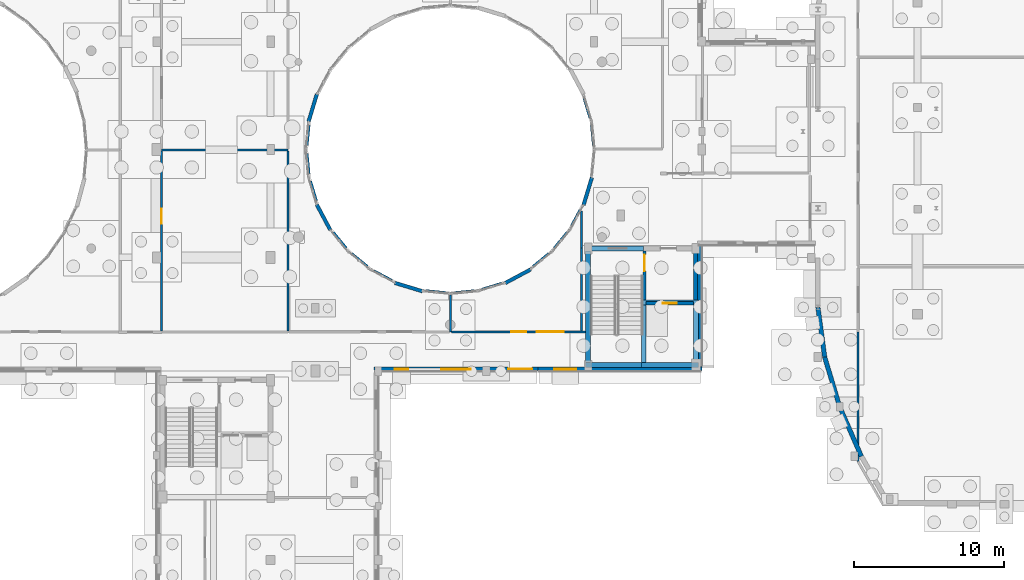
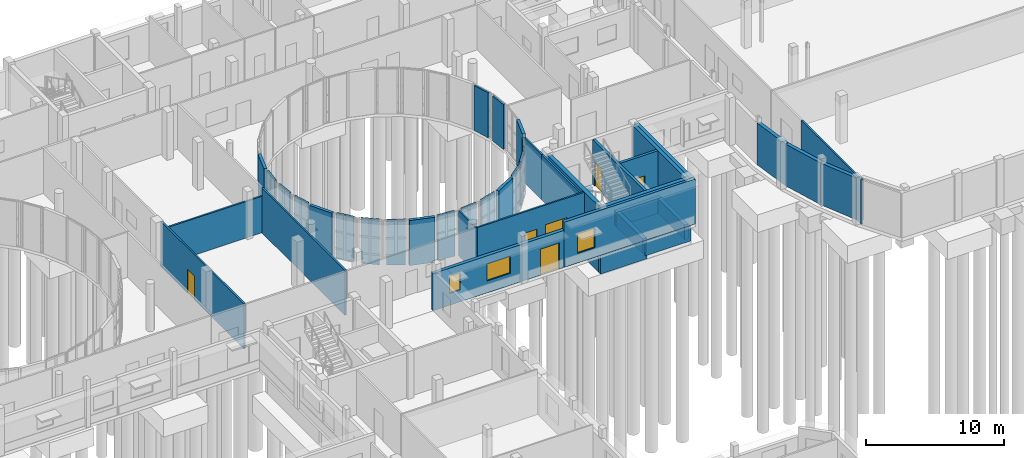
# One storey, part 68 of 93: 45 walls, 5 doors, 4 windows, 9 openings.
"""IFC4 building model written with IfcOpenShell, lengths in metres."""

from ifc_helpers import new_model, si_unit, direction, frame, frame_2d, origin, place, context, subcontext, project, spatial, rectangle, extrude, material, layer, layer_set, type_object, element, fill, save


model = new_model("IFC4")

# Units and contexts
model_context = context("Model", 3, precision=1e-05, world=origin(), true_north=direction((0.0, 1.0)))
body_context = subcontext(model_context, "Body", "Model", "MODEL_VIEW")
ifc_project = project(units=[si_unit("LENGTHUNIT", "METRE"), si_unit("AREAUNIT", "SQUARE_METRE"), si_unit("VOLUMEUNIT", "CUBIC_METRE"), si_unit("PLANEANGLEUNIT", "RADIAN"), si_unit("MASSUNIT", "GRAM", prefix="KILO")], contexts=[model_context])

# Site, building, storey
site_placement = place(None, origin())
site = spatial("IfcSite", under=ifc_project, at=site_placement, CompositionType="ELEMENT")
building_placement = place(site_placement, origin())
building = spatial("IfcBuilding", under=site, at=building_placement, Name="Kelanivale Promenade Academy", CompositionType="ELEMENT")
storey_placement = place(building_placement, origin())
storey = spatial("IfcBuildingStorey", under=building, at=storey_placement, Name="L00", CompositionType="ELEMENT", Elevation=0.0)

# Walls
ifc_material_1 = material(Name="Concrete C40/50", Category="concrete")
ifc_layer_1 = layer(ifc_material_1, 0.330078125)
ifc_layer_set_1 = layer_set([ifc_layer_1], Name="Concrete C40/50")
wall_type_1 = type_object("IfcWallType", Name="CW-S1 Wall 330mm", PredefinedType="SHEAR", material=ifc_layer_set_1)
for number, where, z_axis, x_axis, name in (
    (1, (111.554931640625, 42.39990234375, -1.550048828125), (0.0, 0.0, 1.0), (1.0, 0.0, 0.0), "CORE-3 lift pit wall"),
    (2, (111.554931640625, 46.590087890625, -1.550048828125), (0.0, 0.0, 1.0), (1.0, 0.0, 0.0), "CORE-3 lift pit wall"),
):
    element("IfcWall", number, at=place(storey_placement, frame(where, z_axis=z_axis, x_axis=x_axis)), inside=storey, type_object=wall_type_1, Name=name, PredefinedType="SHEAR", context=body_context, shape_type="SweptSolid", body=[
        extrude(rectangle(XDim=3.81005859375, YDim=0.330078125, at=frame_2d((1.905029296875, 0.0))), origin(), (0.0, 0.0, 1.0), 1.300048828125),
    ])
for number, where, z_axis, x_axis, name in (
    (3, (111.719970703125, 42.56494140625, -1.550048828125), (0.0, 0.0, 1.0), (0.0, 1.0, 0.0), "CORE-3 lift pit wall"),
    (4, (115.199951171875, 42.56494140625, -1.550048828125), (0.0, 0.0, 1.0), (0.0, 1.0, 0.0), "CORE-3 lift pit wall"),
):
    element("IfcWall", number, at=place(storey_placement, frame(where, z_axis=z_axis, x_axis=x_axis)), inside=storey, type_object=wall_type_1, Name=name, PredefinedType="SHEAR", context=body_context, shape_type="SweptSolid", body=[
        extrude(rectangle(XDim=3.860107421875, YDim=0.330078125, at=frame_2d((1.93017578125, 0.0))), origin(), (0.0, 0.0, 1.0), 1.300048828125),
    ])
wall_1_placement = place(storey_placement, frame((108.0, 42.56494140625, -1.85009765625), z_axis=(0.0, 0.0, 1.0), x_axis=(0.0, 1.0, 0.0)))
element("IfcWall", 5, at=wall_1_placement, inside=storey, type_object=wall_type_1, Name="CORE-3 core raft starter wall", PredefinedType="SHEAR", context=body_context, shape_type="SweptSolid", body=[
    extrude(rectangle(XDim=7.469970703125, YDim=0.330078125, at=frame_2d((3.73486328125, 0.0))), origin(), (0.0, 0.0, 1.0), 1.60009765625),
])
for number, where, z_axis, x_axis, name in (
    (6, (107.8349609375, 42.39990234375, -1.85009765625), (0.0, 0.0, 1.0), (1.0, 0.0, 0.0), "CORE-3 core raft starter wall"),
    (7, (107.8349609375, 50.199951171875, -1.85009765625), (0.0, 0.0, 1.0), (1.0, 0.0, 0.0), "CORE-3 core raft starter wall"),
):
    element("IfcWall", number, at=place(storey_placement, frame(where, z_axis=z_axis, x_axis=x_axis)), inside=storey, type_object=wall_type_1, Name=name, PredefinedType="SHEAR", context=body_context, shape_type="SweptSolid", body=[
        extrude(rectangle(XDim=3.864990234375, YDim=0.330078125, at=frame_2d((1.9326171875, 0.0))), origin(), (0.0, 0.0, 1.0), 1.60009765625),
    ])
wall_2_placement = place(storey_placement, frame((107.8349609375, 42.39990234375, 0.0), z_axis=(0.0, 0.0, 1.0), x_axis=(1.0, 0.0, 0.0)))
element("IfcWall", 8, at=wall_2_placement, inside=storey, type_object=wall_type_1, Name="CORE-3 RC shear wall S L00", PredefinedType="SHEAR", context=body_context, shape_type="SweptSolid", body=[
    extrude(rectangle(XDim=7.530029296875, YDim=0.330078125, at=frame_2d((3.76513671875, 0.0))), origin(), (0.0, 0.0, 1.0), 3.97998046875),
])
for number, where, z_axis, x_axis, name in (
    (9, (108.0, 42.56494140625, 0.0), (0.0, 0.0, 1.0), (0.0, 1.0, 0.0), "CORE-3 RC shear wall W L00"),
    (10, (115.199951171875, 42.56494140625, 0.0), (0.0, 0.0, 1.0), (0.0, 1.0, 0.0), "CORE-3 RC shear wall E L00"),
):
    element("IfcWall", number, at=place(storey_placement, frame(where, z_axis=z_axis, x_axis=x_axis)), inside=storey, type_object=wall_type_1, Name=name, PredefinedType="SHEAR", context=body_context, shape_type="SweptSolid", body=[
        extrude(rectangle(XDim=7.469970703125, YDim=0.330078125, at=frame_2d((3.73486328125, 0.0))), origin(), (0.0, 0.0, 1.0), 3.97998046875),
    ])

# Wall, opening, door
ifc_layer_2 = layer(ifc_material_1, 0.22509765625)
ifc_layer_set_2 = layer_set([ifc_layer_2], Name="Concrete C40/50")
wall_type_2 = type_object("IfcWallType", Name="CW-S2 Wall 225mm", PredefinedType="SHEAR", material=ifc_layer_set_2)
wall_3_placement = place(storey_placement, frame((111.885009765625, 46.530029296875, 0.0), z_axis=(0.0, 0.0, 1.0), x_axis=(1.0, 0.0, 0.0)))
wall_3 = element("IfcWall", 11, at=wall_3_placement, inside=storey, type_object=wall_type_2, Name="CORE-3 lift shaft front RC wall L00", PredefinedType="SHEAR", context=body_context, shape_type="SweptSolid", body=[
    extrude(rectangle(XDim=3.14990234375, YDim=0.22509765625, at=frame_2d((1.574951171875, 0.0))), origin(), (0.0, 0.0, 1.0), 3.97998046875),
])
opening_1_placement = place(wall_3_placement, frame((1.10009765625, 0.0, 0.0)))
opening_1 = element("IfcOpeningElement", 12, at=opening_1_placement, cuts=wall_3, Name="Opening LD-LF-FF3-L00", PredefinedType="OPENING", context=body_context, shape_type="SweptSolid", body=[
    extrude(rectangle(XDim=0.949951171875, YDim=2.14990234375, at=frame_2d((0.47509765625, 1.074951171875))), frame((0.0, 0.12255859375, 0.0), z_axis=(0.0, -1.0, 0.0), x_axis=(1.0, 0.0, 0.0)), (0.0, 0.0, 1.0), 0.2451171875),
])
ifc_material_2 = material(Name="Fire-rated steel-core teak veneer", Category="steel")
door_type_1 = type_object("IfcDoorType", Name="LD-FF1 Door 950x2150", OperationType="NOTDEFINED", PredefinedType="DOOR", material=ifc_material_2)
door_1_placement = place(opening_1_placement, origin())
door_1 = element("IfcDoor", 13, at=door_1_placement, inside=storey, type_object=door_type_1, Name="Firefighting lift landing door LD-LF-FF3-L00", OperationType="SLIDING_TO_LEFT", OverallHeight=2.14990234375, OverallWidth=0.949951171875, PredefinedType="DOOR", context=body_context, shape_type="SweptSolid", body=[
    extrude(rectangle(XDim=0.949951171875, YDim=2.14990234375, at=frame_2d((0.47509765625, 1.074951171875))), frame((0.0, 0.02490234375, 0.0), z_axis=(0.0, -1.0, 0.0), x_axis=(1.0, 0.0, 0.0)), (0.0, 0.0, 1.0), 0.050048828125),
])
fill(opening_1, door_1)

ifc_layer_3 = layer(ifc_material_1, 0.219970703125)
ifc_layer_set_3 = layer_set([ifc_layer_3], Name="Concrete C40/50")
wall_type_3 = type_object("IfcWallType", Name="CW-S3 Wall 220mm", PredefinedType="SHEAR", material=ifc_layer_set_3)
wall_4_placement = place(storey_placement, frame((111.77490234375, 42.56494140625, 0.0), z_axis=(0.0, 0.0, 1.0), x_axis=(0.0, 1.0, 0.0)))
wall_4 = element("IfcWall", 14, at=wall_4_placement, inside=storey, type_object=wall_type_3, Name="CORE-3 stair-lobby dividing RC wall L00", PredefinedType="SHEAR", context=body_context, shape_type="SweptSolid", body=[
    extrude(rectangle(XDim=7.469970703125, YDim=0.219970703125, at=frame_2d((3.73486328125, 0.0))), origin(), (0.0, 0.0, 1.0), 3.97998046875),
])
opening_2_placement = place(wall_4_placement, frame((6.1201171875, 0.0, 0.0)))
opening_2 = element("IfcOpeningElement", 15, at=opening_2_placement, cuts=wall_4, Name="Opening FD-CORE-3-SL-L00", PredefinedType="OPENING", context=body_context, shape_type="SweptSolid", body=[
    extrude(rectangle(XDim=1.10009765625, YDim=2.14990234375, at=frame_2d((0.550048828125, 1.074951171875))), frame((0.0, 0.1201171875, 0.0), z_axis=(0.0, -1.0, 0.0), x_axis=(1.0, 0.0, 0.0)), (0.0, 0.0, 1.0), 0.239990234375),
])
door_type_2 = type_object("IfcDoorType", Name="DT-F01 Door 1100x2150", OperationType="NOTDEFINED", PredefinedType="DOOR", material=ifc_material_2)
door_2_placement = place(opening_2_placement, origin())
door_2 = element("IfcDoor", 16, at=door_2_placement, inside=storey, type_object=door_type_2, Name="CORE-3 lobby-to-stair fire door L00", OperationType="SINGLE_SWING_LEFT", OverallHeight=2.14990234375, OverallWidth=1.10009765625, PredefinedType="DOOR", context=body_context, shape_type="SweptSolid", body=[
    extrude(rectangle(XDim=1.10009765625, YDim=2.14990234375, at=frame_2d((0.550048828125, 1.074951171875))), frame((0.0, 0.02490234375, 0.0), z_axis=(0.0, -1.0, 0.0), x_axis=(1.0, 0.0, 0.0)), (0.0, 0.0, 1.0), 0.050048828125),
])
fill(opening_2, door_2)

# Walls
ifc_material_3 = material(Name="Insulated terracotta-clad masonry wall 300 mm", Category="masonry")
ifc_layer_4 = layer(ifc_material_3, 0.300048828125)
ifc_layer_set_4 = layer_set([ifc_layer_4], Name="Insulated terracotta-clad masonry wall 300 mm")
wall_type_4 = type_object("IfcWallType", Name="EW-01 Wall 300mm", PredefinedType="SOLIDWALL", material=ifc_layer_set_4)
wall_5_placement = place(storey_placement, frame((124.800048828125, 39.62890625, 0.0), z_axis=(0.0, 0.0, 1.0), x_axis=(0.400740958437, -0.916191401526, 0.0)))
element("IfcWall", 17, at=wall_5_placement, inside=storey, type_object=wall_type_4, Name="Assembly Hall Arc Pavilion inner crescent wall L00", PredefinedType="SOLIDWALL", context=body_context, shape_type="SweptSolid", body=[
    extrude(rectangle(XDim=3.6181640625, YDim=0.300048828125, at=frame_2d((1.80908203125, 0.0))), origin(), (0.0, 0.0, 1.0), 3.679931640625),
])
wall_6_placement = place(storey_placement, frame((123.800048828125, 42.943115234375, 0.0), z_axis=(0.0, 0.0, 1.0), x_axis=(0.288868004026, -0.957368934241, 0.0)))
element("IfcWall", 18, at=wall_6_placement, inside=storey, type_object=wall_type_4, Name="Assembly Hall Arc Pavilion inner crescent wall L00", PredefinedType="SOLIDWALL", context=body_context, shape_type="SweptSolid", body=[
    extrude(rectangle(XDim=3.461669921875, YDim=0.300048828125, at=frame_2d((1.73095703125, 0.0))), origin(), (0.0, 0.0, 1.0), 3.679931640625),
])
wall_7_placement = place(storey_placement, frame((123.35009765625, 46.257080078125, 0.0), z_axis=(0.0, 0.0, 1.0), x_axis=(0.134539839792, -0.990908185206, 0.0)))
element("IfcWall", 19, at=wall_7_placement, inside=storey, type_object=wall_type_4, Name="Assembly Hall Arc Pavilion inner crescent wall L00", PredefinedType="SOLIDWALL", context=body_context, shape_type="SweptSolid", body=[
    extrude(rectangle(XDim=3.344482421875, YDim=0.300048828125, at=frame_2d((1.67236328125, 0.0))), origin(), (0.0, 0.0, 1.0), 3.679931640625),
])

# Wall, openings, door, windows
ifc_material_4 = material(Name="Insulated ivory stucco masonry wall 280 mm", Category="masonry")
ifc_layer_5 = layer(ifc_material_4, 0.280029296875)
ifc_layer_set_5 = layer_set([ifc_layer_5], Name="Insulated ivory stucco masonry wall 280 mm")
wall_type_5 = type_object("IfcWallType", Name="EW-02 Wall 280mm", PredefinedType="SOLIDWALL", material=ifc_layer_set_5)
wall_8_placement = place(storey_placement, frame((93.719970703125, 42.139892578125, 0.0), z_axis=(0.0, 0.0, 1.0), x_axis=(1.0, 0.0, 0.0)))
wall_8 = element("IfcWall", 20, at=wall_8_placement, inside=storey, type_object=wall_type_5, Name="L00 exterior facade wall EW-L00-ORT-0289", PredefinedType="SOLIDWALL", context=body_context, shape_type="SweptSolid", body=[
    extrude(rectangle(XDim=10.93994140625, YDim=0.280029296875, at=frame_2d((5.469970703125, 0.0))), origin(), (0.0, 0.0, 1.0), 3.27490234375),
])
opening_3_placement = place(wall_8_placement, frame((8.93994140625, 0.0, 0.0)))
opening_3 = element("IfcOpeningElement", 21, at=opening_3_placement, cuts=wall_8, Name="Opening ED-04", PredefinedType="OPENING", context=body_context, shape_type="SweptSolid", body=[
    extrude(rectangle(XDim=1.60009765625, YDim=2.300048828125, at=frame_2d((0.800048828125, 1.14990234375))), frame((0.0, 0.14990234375, 0.0), z_axis=(0.0, -1.0, 0.0), x_axis=(1.0, 0.0, 0.0)), (0.0, 0.0, 1.0), 0.300048828125),
])
opening_4_placement = place(wall_8_placement, frame((1.373046875, 0.0, 1.050048828125)))
opening_4 = element("IfcOpeningElement", 22, at=opening_4_placement, cuts=wall_8, Name="Opening WT-06", PredefinedType="OPENING", context=body_context, shape_type="SweptSolid", body=[
    extrude(rectangle(XDim=0.89990234375, YDim=1.5, at=frame_2d((0.449951171875, 0.75))), frame((0.0, 0.14990234375, 0.0), z_axis=(0.0, -1.0, 0.0), x_axis=(1.0, 0.0, 0.0)), (0.0, 0.0, 1.0), 0.300048828125),
])
opening_5_placement = place(wall_8_placement, frame((4.4951171875, 0.0, 1.050048828125)))
opening_5 = element("IfcOpeningElement", 23, at=opening_5_placement, cuts=wall_8, Name="Opening WT-22", PredefinedType="OPENING", context=body_context, shape_type="SweptSolid", body=[
    extrude(rectangle(XDim=1.949951171875, YDim=1.5, at=frame_2d((0.97509765625, 0.75))), frame((0.0, 0.14990234375, 0.0), z_axis=(0.0, -1.0, 0.0), x_axis=(1.0, 0.0, 0.0)), (0.0, 0.0, 1.0), 0.300048828125),
])
ifc_material_5 = material(Name="Bronze anodised aluminium and laminated glass", Category="aluminium")
door_type_3 = type_object("IfcDoorType", Name="DT-X02 Door 1600x2300", OperationType="NOTDEFINED", PredefinedType="DOOR", material=ifc_material_5)
door_3_placement = place(opening_3_placement, frame((1.60009765625, 0.0, 0.0), z_axis=(0.0, 0.0, 1.0), x_axis=(-1.0, 0.0, 0.0)))
door_3 = element("IfcDoor", 24, at=door_3_placement, inside=storey, type_object=door_type_3, Name="South-east courtyard exit discharge door ED-04", OperationType="DOUBLE_DOOR_SINGLE_SWING", OverallHeight=2.300048828125, OverallWidth=1.60009765625, PredefinedType="DOOR", context=body_context, shape_type="SweptSolid", body=[
    extrude(rectangle(XDim=1.60009765625, YDim=2.300048828125, at=frame_2d((0.800048828125, 1.14990234375))), frame((0.0, 0.02490234375, 0.0), z_axis=(0.0, -1.0, 0.0), x_axis=(1.0, 0.0, 0.0)), (0.0, 0.0, 1.0), 0.050048828125),
])
fill(opening_3, door_3)
ifc_material_6 = material(Name="Bronze anodised aluminium frame with low-E laminated glass", Category="aluminium")
window_type_1 = type_object("IfcWindowType", Name="WT-06 Window 900x1500", PartitioningType="SINGLE_PANEL", PredefinedType="WINDOW", material=ifc_material_6)
window_1_placement = place(opening_4_placement, origin())
window_1 = element("IfcWindow", 25, at=window_1_placement, inside=storey, type_object=window_type_1, Name="Window WT-06", OverallHeight=1.5, OverallWidth=0.89990234375, PartitioningType="SINGLE_PANEL", PredefinedType="WINDOW", context=body_context, shape_type="SweptSolid", body=[
    extrude(rectangle(XDim=0.89990234375, YDim=1.5, at=frame_2d((0.449951171875, 0.75))), frame((0.0, 0.030029296875, 0.0), z_axis=(0.0, -1.0, 0.0), x_axis=(1.0, 0.0, 0.0)), (0.0, 0.0, 1.0), 0.06005859375),
])
fill(opening_4, window_1)
window_type_2 = type_object("IfcWindowType", Name="WT-22 Window 1950x1500", PartitioningType="SINGLE_PANEL", PredefinedType="WINDOW", material=ifc_material_6)
window_2_placement = place(opening_5_placement, origin())
window_2 = element("IfcWindow", 26, at=window_2_placement, inside=storey, type_object=window_type_2, Name="Window WT-22", OverallHeight=1.5, OverallWidth=1.949951171875, PartitioningType="SINGLE_PANEL", PredefinedType="WINDOW", context=body_context, shape_type="SweptSolid", body=[
    extrude(rectangle(XDim=1.949951171875, YDim=1.5, at=frame_2d((0.97509765625, 0.75))), frame((0.0, 0.030029296875, 0.0), z_axis=(0.0, -1.0, 0.0), x_axis=(1.0, 0.0, 0.0)), (0.0, 0.0, 1.0), 0.06005859375),
])
fill(opening_5, window_2)

# Wall, opening, window
wall_9_placement = place(storey_placement, frame((104.659912109375, 42.139892578125, 0.0), z_axis=(0.0, 0.0, 1.0), x_axis=(1.0, 0.0, 0.0)))
wall_9 = element("IfcWall", 27, at=wall_9_placement, inside=storey, type_object=wall_type_5, Name="L00 exterior facade wall EW-L00-ORT-0290", PredefinedType="SOLIDWALL", context=body_context, shape_type="SweptSolid", body=[
    extrude(rectangle(XDim=10.940185546875, YDim=0.280029296875, at=frame_2d((5.47021484375, 0.0))), origin(), (0.0, 0.0, 1.0), 3.97998046875),
])
opening_6_placement = place(wall_9_placement, frame((1.097900390625, 0.0, 0.85009765625)))
opening_6 = element("IfcOpeningElement", 28, at=opening_6_placement, cuts=wall_9, Name="Opening WT-24", PredefinedType="OPENING", context=body_context, shape_type="SweptSolid", body=[
    extrude(rectangle(XDim=1.449951171875, YDim=1.699951171875, at=frame_2d((0.72509765625, 0.85009765625))), frame((0.0, 0.14990234375, 0.0), z_axis=(0.0, -1.0, 0.0), x_axis=(1.0, 0.0, 0.0)), (0.0, 0.0, 1.0), 0.300048828125),
])
window_type_3 = type_object("IfcWindowType", Name="WT-24 Window 1450x1700", PartitioningType="SINGLE_PANEL", PredefinedType="WINDOW", material=ifc_material_6)
window_3_placement = place(opening_6_placement, origin())
window_3 = element("IfcWindow", 29, at=window_3_placement, inside=storey, type_object=window_type_3, Name="Window WT-24", OverallHeight=1.699951171875, OverallWidth=1.449951171875, PartitioningType="SINGLE_PANEL", PredefinedType="WINDOW", context=body_context, shape_type="SweptSolid", body=[
    extrude(rectangle(XDim=1.449951171875, YDim=1.699951171875, at=frame_2d((0.72509765625, 0.85009765625))), frame((0.0, 0.030029296875, 0.0), z_axis=(0.0, -1.0, 0.0), x_axis=(1.0, 0.0, 0.0)), (0.0, 0.0, 1.0), 0.06005859375),
])
fill(opening_6, window_3)

# Walls
wall_10_placement = place(storey_placement, frame((115.4599609375, 42.280029296875, 0.0), z_axis=(0.0, 0.0, 1.0), x_axis=(0.0, 1.0, 0.0)))
element("IfcWall", 30, at=wall_10_placement, inside=storey, type_object=wall_type_5, Name="L00 exterior facade wall EW-L00-ORT-0291", PredefinedType="SOLIDWALL", context=body_context, shape_type="SweptSolid", body=[
    extrude(rectangle(XDim=8.119873046875, YDim=0.280029296875, at=frame_2d((4.06005859375, 0.0))), origin(), (0.0, 0.0, 1.0), 3.97998046875),
])
ifc_material_7 = material(Name="Insulated courtyard stucco masonry wall 240 mm", Category="masonry")
ifc_layer_6 = layer(ifc_material_7, 0.239990234375)
ifc_layer_set_6 = layer_set([ifc_layer_6], Name="Insulated courtyard stucco masonry wall 240 mm")
wall_type_6 = type_object("IfcWallType", Name="EW-04 Wall 240mm", PredefinedType="SOLIDWALL", material=ifc_layer_set_6)
wall_11_placement = place(storey_placement, frame((89.89599609375, 60.5, 0.0), z_axis=(0.0, 0.0, 1.0), x_axis=(-0.289713248393, -0.957113490504, 0.0)))
element("IfcWall", 31, at=wall_11_placement, inside=storey, type_object=wall_type_6, Name="L00 round courtyard stucco wall", PredefinedType="SOLIDWALL", context=body_context, shape_type="SweptSolid", body=[
    extrude(rectangle(XDim=1.912109375, YDim=0.239990234375, at=frame_2d((0.9560546875, 0.0))), origin(), (0.0, 0.0, 1.0), 3.97998046875),
])
wall_12_placement = place(storey_placement, frame((89.887939453125, 53.12109375, 0.0), z_axis=(0.0, 0.0, 1.0), x_axis=(0.471548403175, -0.881840180227, 0.0)))
element("IfcWall", 32, at=wall_12_placement, inside=storey, type_object=wall_type_6, Name="L00 round courtyard stucco wall", PredefinedType="SOLIDWALL", context=body_context, shape_type="SweptSolid", body=[
    extrude(rectangle(XDim=1.9130859375, YDim=0.239990234375, at=frame_2d((0.95654296875, 0.0))), origin(), (0.0, 0.0, 1.0), 3.97998046875),
])
wall_13_placement = place(storey_placement, frame((95.10009765625, 47.89599609375, 0.0), z_axis=(0.0, 0.0, 1.0), x_axis=(0.957102771605, -0.289748657608, 0.0)))
element("IfcWall", 33, at=wall_13_placement, inside=storey, type_object=wall_type_6, Name="L00 round courtyard stucco wall", PredefinedType="SOLIDWALL", context=body_context, shape_type="SweptSolid", body=[
    extrude(rectangle(XDim=1.911865234375, YDim=0.239990234375, at=frame_2d((0.9560546875, 0.0))), origin(), (0.0, 0.0, 1.0), 3.97998046875),
])
wall_14_placement = place(storey_placement, frame((102.47900390625, 47.887939453125, 0.0), z_axis=(0.0, 0.0, 1.0), x_axis=(0.881840180227, 0.471548403175, 0.0)))
element("IfcWall", 34, at=wall_14_placement, inside=storey, type_object=wall_type_6, Name="L00 round courtyard stucco wall", PredefinedType="SOLIDWALL", context=body_context, shape_type="SweptSolid", body=[
    extrude(rectangle(XDim=1.9130859375, YDim=0.239990234375, at=frame_2d((0.95654296875, 0.0))), origin(), (0.0, 0.0, 1.0), 3.97998046875),
])
wall_15_placement = place(storey_placement, frame((107.7041015625, 53.10009765625, 0.0), z_axis=(0.0, 0.0, 1.0), x_axis=(0.289748657608, 0.957102771605, 0.0)))
element("IfcWall", 35, at=wall_15_placement, inside=storey, type_object=wall_type_6, Name="L00 round courtyard stucco wall", PredefinedType="SOLIDWALL", context=body_context, shape_type="SweptSolid", body=[
    extrude(rectangle(XDim=1.911865234375, YDim=0.239990234375, at=frame_2d((0.9560546875, 0.0))), origin(), (0.0, 0.0, 1.0), 3.97998046875),
])
ifc_material_8 = material(Name="Acoustic double-stud gypsum board partition 140 mm", Category="masonry")
ifc_layer_7 = layer(ifc_material_8, 0.139892578125)
ifc_layer_set_7 = layer_set([ifc_layer_7], Name="Acoustic double-stud gypsum board partition 140 mm")
wall_type_7 = type_object("IfcWallType", Name="IW-04 Wall 140mm", PredefinedType="PARTITIONING", material=ifc_layer_set_7)
wall_16_placement = place(storey_placement, frame((126.030029296875, 44.6298828125, 0.0), z_axis=(0.0, 0.0, 1.0), x_axis=(0.0, -1.0, 0.0)))
element("IfcWall", 36, at=wall_16_placement, inside=storey, type_object=wall_type_7, Name="L00 partition Music Recital Studio", PredefinedType="PARTITIONING", context=body_context, shape_type="SweptSolid", body=[
    extrude(rectangle(XDim=8.663818359375, YDim=0.139892578125, at=frame_2d((4.33203125, 0.0))), origin(), (0.0, 0.0, 1.0), 3.929931640625),
])
wall_17_placement = place(storey_placement, frame((87.969970703125, 56.77001953125, 0.0), z_axis=(0.0, 0.0, 1.0), x_axis=(-1.0, 0.0, 0.0)))
element("IfcWall", 37, at=wall_17_placement, inside=storey, type_object=wall_type_7, Name="L00 partition Hygiene Therapy Room", PredefinedType="PARTITIONING", context=body_context, shape_type="SweptSolid", body=[
    extrude(rectangle(XDim=8.43994140625, YDim=0.139892578125, at=frame_2d((4.219970703125, 0.0))), origin(), (0.0, 0.0, 1.0), 3.22509765625),
])

# Wall, opening, door
wall_18_placement = place(storey_placement, frame((79.530029296875, 56.701904296875, 0.0), z_axis=(0.0, 0.0, 1.0), x_axis=(0.0, -1.0, 0.0)))
wall_18 = element("IfcWall", 38, at=wall_18_placement, inside=storey, type_object=wall_type_7, Name="L00 partition Hygiene Therapy Room", PredefinedType="PARTITIONING", context=body_context, shape_type="SweptSolid", body=[
    extrude(rectangle(XDim=12.013916015625, YDim=0.139892578125, at=frame_2d((6.0068359375, 0.0))), origin(), (0.0, 0.0, 1.0), 3.97509765625),
])
opening_7_placement = place(wall_18_placement, frame((3.85498046875, 0.0, 0.0)))
opening_7 = element("IfcOpeningElement", 39, at=opening_7_placement, cuts=wall_18, Name="Opening ID-L00-033", PredefinedType="OPENING", context=body_context, shape_type="SweptSolid", body=[
    extrude(rectangle(XDim=1.0, YDim=2.10009765625, at=frame_2d((0.5, 1.050048828125))), frame((0.0, 0.080078125, 0.0), z_axis=(0.0, -1.0, 0.0), x_axis=(1.0, 0.0, 0.0)), (0.0, 0.0, 1.0), 0.159912109375),
])
ifc_material_9 = material(Name="Solid-core tropical teak timber", Category="wood")
door_type_4 = type_object("IfcDoorType", Name="DT-I01 Door 1000x2100", OperationType="NOTDEFINED", PredefinedType="DOOR", material=ifc_material_9)
door_4_placement = place(opening_7_placement, origin())
door_4 = element("IfcDoor", 40, at=door_4_placement, inside=storey, type_object=door_type_4, Name="Hygiene Therapy Room door ID-L00-033", OperationType="SINGLE_SWING_LEFT", OverallHeight=2.10009765625, OverallWidth=1.0, PredefinedType="DOOR", context=body_context, shape_type="SweptSolid", body=[
    extrude(rectangle(XDim=1.0, YDim=2.10009765625, at=frame_2d((0.5, 1.050048828125))), frame((0.0, 0.02490234375, 0.0), z_axis=(0.0, -1.0, 0.0), x_axis=(1.0, 0.0, 0.0)), (0.0, 0.0, 1.0), 0.050048828125),
])
fill(opening_7, door_4)

# Walls
wall_19_placement = place(storey_placement, frame((87.969970703125, 44.697998046875, 0.0), z_axis=(0.0, 0.0, 1.0), x_axis=(0.0, 1.0, 0.0)))
element("IfcWall", 41, at=wall_19_placement, inside=storey, type_object=wall_type_7, Name="L00 partition Hygiene Therapy Room", PredefinedType="PARTITIONING", context=body_context, shape_type="SweptSolid", body=[
    extrude(rectangle(XDim=12.00390625, YDim=0.139892578125, at=frame_2d((6.001953125, 0.0))), origin(), (0.0, 0.0, 1.0), 3.97509765625),
])
wall_20_placement = place(storey_placement, frame((100.407958984375, 47.388916015625, 0.0), z_axis=(0.0, 0.0, 1.0), x_axis=(-0.99513072014, -0.098563937798, 0.0)))
element("IfcWall", 42, at=wall_20_placement, inside=storey, type_object=wall_type_7, Name="L00 partition Junior Classroom East A", PredefinedType="PARTITIONING", context=body_context, shape_type="SweptSolid", body=[
    extrude(rectangle(XDim=1.337646484375, YDim=0.139892578125, at=frame_2d((0.6689453125, 0.0))), origin(), (0.0, 0.0, 1.0), 3.97509765625),
])
wall_21_placement = place(storey_placement, frame((98.830078125, 47.083984375, 0.0), z_axis=(0.0, 0.0, 1.0), x_axis=(0.0, -1.0, 0.0)))
element("IfcWall", 43, at=wall_21_placement, inside=storey, type_object=wall_type_7, Name="L00 partition Junior Classroom East A", PredefinedType="PARTITIONING", context=body_context, shape_type="SweptSolid", body=[
    extrude(rectangle(XDim=2.4541015625, YDim=0.139892578125, at=frame_2d((1.22705078125, 0.0))), origin(), (0.0, 0.0, 1.0), 3.97509765625),
])

# Wall, openings, door, window
wall_22_placement = place(storey_placement, frame((98.89794921875, 44.6298828125, 0.0), z_axis=(0.0, 0.0, 1.0), x_axis=(1.0, 0.0, 0.0)))
wall_22 = element("IfcWall", 44, at=wall_22_placement, inside=storey, type_object=wall_type_7, Name="L00 partition Junior Classroom East A", PredefinedType="PARTITIONING", context=body_context, shape_type="SweptSolid", body=[
    extrude(rectangle(XDim=8.93896484375, YDim=0.139892578125, at=frame_2d((4.469482421875, 0.0))), origin(), (0.0, 0.0, 1.0), 3.97509765625),
])
opening_8_placement = place(wall_22_placement, frame((3.969970703125, 0.0, 0.0)))
opening_8 = element("IfcOpeningElement", 45, at=opening_8_placement, cuts=wall_22, Name="Opening ID-L00-039", PredefinedType="OPENING", context=body_context, shape_type="SweptSolid", body=[
    extrude(rectangle(XDim=1.0, YDim=2.10009765625, at=frame_2d((0.5, 1.050048828125))), frame((0.0, 0.080078125, 0.0), z_axis=(0.0, -1.0, 0.0), x_axis=(1.0, 0.0, 0.0)), (0.0, 0.0, 1.0), 0.159912109375),
])
opening_9_placement = place(wall_22_placement, frame((5.669921875, 0.0, 1.050048828125)))
opening_9 = element("IfcOpeningElement", 46, at=opening_9_placement, cuts=wall_22, Name="Opening WT-I02", PredefinedType="OPENING", context=body_context, shape_type="SweptSolid", body=[
    extrude(rectangle(XDim=1.800048828125, YDim=1.199951171875, at=frame_2d((0.89990234375, 0.60009765625))), frame((0.0, 0.080078125, 0.0), z_axis=(0.0, -1.0, 0.0), x_axis=(1.0, 0.0, 0.0)), (0.0, 0.0, 1.0), 0.159912109375),
])
door_5_placement = place(opening_8_placement, origin())
door_5 = element("IfcDoor", 47, at=door_5_placement, inside=storey, type_object=door_type_4, Name="Junior Classroom East A door ID-L00-039", OperationType="SINGLE_SWING_RIGHT", OverallHeight=2.10009765625, OverallWidth=1.0, PredefinedType="DOOR", context=body_context, shape_type="SweptSolid", body=[
    extrude(rectangle(XDim=1.0, YDim=2.10009765625, at=frame_2d((0.5, 1.050048828125))), frame((0.0, 0.02490234375, 0.0), z_axis=(0.0, -1.0, 0.0), x_axis=(1.0, 0.0, 0.0)), (0.0, 0.0, 1.0), 0.050048828125),
])
fill(opening_8, door_5)
window_type_4 = type_object("IfcWindowType", Name="WT-I02 Window 1800x1200", PartitioningType="SINGLE_PANEL", PredefinedType="WINDOW", material=ifc_material_6)
window_4_placement = place(opening_9_placement, origin())
window_4 = element("IfcWindow", 48, at=window_4_placement, inside=storey, type_object=window_type_4, Name="Interior observation window WT-I02", OverallHeight=1.199951171875, OverallWidth=1.800048828125, PartitioningType="SINGLE_PANEL", PredefinedType="WINDOW", context=body_context, shape_type="SweptSolid", body=[
    extrude(rectangle(XDim=1.800048828125, YDim=1.199951171875, at=frame_2d((0.89990234375, 0.60009765625))), frame((0.0, 0.030029296875, 0.0), z_axis=(0.0, -1.0, 0.0), x_axis=(1.0, 0.0, 0.0)), (0.0, 0.0, 1.0), 0.06005859375),
])
fill(opening_9, window_4)

# Walls
wall_23_placement = place(storey_placement, frame((107.570068359375, 44.697998046875, 0.0), z_axis=(0.0, 0.0, 1.0), x_axis=(0.0, 1.0, 0.0)))
element("IfcWall", 49, at=wall_23_placement, inside=storey, type_object=wall_type_7, Name="L00 partition Junior Classroom East A", PredefinedType="PARTITIONING", context=body_context, shape_type="SweptSolid", body=[
    extrude(rectangle(XDim=5.531982421875, YDim=0.139892578125, at=frame_2d((2.76611328125, 0.0))), origin(), (0.0, 0.0, 1.0), 3.97509765625),
])
wall_24_placement = place(storey_placement, frame((107.570068359375, 50.22998046875, 0.0), z_axis=(0.0, 0.0, 1.0), x_axis=(0.0, 1.0, 0.0)))
element("IfcWall", 50, at=wall_24_placement, inside=storey, type_object=wall_type_7, Name="L00 partition Junior Classroom East A", PredefinedType="PARTITIONING", context=body_context, shape_type="SweptSolid", body=[
    extrude(rectangle(XDim=2.4580078125, YDim=0.139892578125, at=frame_2d((1.22900390625, 0.0))), origin(), (0.0, 0.0, 1.0), 3.97509765625),
])
wall_25_placement = place(storey_placement, frame((107.452880859375, 52.783935546875, 0.0), z_axis=(0.0, 0.0, 1.0), x_axis=(-0.471390738411, -0.881924470542, 0.0)))
element("IfcWall", 51, at=wall_25_placement, inside=storey, type_object=wall_type_7, Name="L00 partition Junior Classroom East A", PredefinedType="PARTITIONING", context=body_context, shape_type="SweptSolid", body=[
    extrude(rectangle(XDim=1.215576171875, YDim=0.139892578125, at=frame_2d((0.60791015625, 0.0))), origin(), (0.0, 0.0, 1.0), 3.97509765625),
])
wall_26_placement = place(storey_placement, frame((106.593017578125, 51.281982421875, 0.0), z_axis=(0.0, 0.0, 1.0), x_axis=(-0.634451674201, -0.772962530207, 0.0)))
element("IfcWall", 52, at=wall_26_placement, inside=storey, type_object=wall_type_7, Name="L00 partition Junior Classroom East A", PredefinedType="PARTITIONING", context=body_context, shape_type="SweptSolid", body=[
    extrude(rectangle(XDim=1.357177734375, YDim=0.139892578125, at=frame_2d((0.6787109375, 0.0))), origin(), (0.0, 0.0, 1.0), 3.97509765625),
])
wall_27_placement = place(storey_placement, frame((105.366943359375, 49.867919921875, 0.0), z_axis=(0.0, 0.0, 1.0), x_axis=(-0.772978341916, -0.634432410055, 0.0)))
element("IfcWall", 53, at=wall_27_placement, inside=storey, type_object=wall_type_7, Name="L00 partition Junior Classroom East A", PredefinedType="PARTITIONING", context=body_context, shape_type="SweptSolid", body=[
    extrude(rectangle(XDim=1.35693359375, YDim=0.139892578125, at=frame_2d((0.678466796875, 0.0))), origin(), (0.0, 0.0, 1.0), 3.97509765625),
])
for number, where, z_axis, x_axis, name in (
    (54, (102.214111328125, 47.883056640625, 0.0), (0.0, 0.0, 1.0), (-0.956945716193, -0.290266939661, 0.0), "L00 partition Junior Classroom East A"),
    (55, (107.717041015625, 60.214111328125, 0.0), (0.0, 0.0, 1.0), (0.290266939661, -0.956945716193, 0.0), "L00 partition Humanities Seminar East B"),
):
    element("IfcWall", number, at=place(storey_placement, frame(where, z_axis=z_axis, x_axis=x_axis)), inside=storey, type_object=wall_type_7, Name=name, PredefinedType="PARTITIONING", context=body_context, shape_type="SweptSolid", body=[
        extrude(rectangle(XDim=1.357421875, YDim=0.139892578125, at=frame_2d((0.6787109375, 0.0))), origin(), (0.0, 0.0, 1.0), 3.97509765625),
    ])
wall_28_placement = place(storey_placement, frame((108.2109375, 58.407958984375, 0.0), z_axis=(0.0, 0.0, 1.0), x_axis=(0.098744685517, -0.995112801185, 0.0)))
element("IfcWall", 56, at=wall_28_placement, inside=storey, type_object=wall_type_7, Name="L00 partition Humanities Seminar East B", PredefinedType="PARTITIONING", context=body_context, shape_type="SweptSolid", body=[
    extrude(rectangle(XDim=1.337646484375, YDim=0.139892578125, at=frame_2d((0.6689453125, 0.0))), origin(), (0.0, 0.0, 1.0), 3.97509765625),
])
wall_29_placement = place(storey_placement, frame((89.883056640625, 53.385986328125, 0.0), z_axis=(0.0, 0.0, 1.0), x_axis=(-0.290266939661, 0.956945716193, 0.0)))
element("IfcWall", 57, at=wall_29_placement, inside=storey, type_object=wall_type_7, Name="L00 partition Junior Classroom Courtyard East-South", PredefinedType="PARTITIONING", context=body_context, shape_type="SweptSolid", body=[
    extrude(rectangle(XDim=1.357421875, YDim=0.139892578125, at=frame_2d((0.6787109375, 0.0))), origin(), (0.0, 0.0, 1.0), 3.97509765625),
])
for number, where, z_axis, x_axis, name in (
    (58, (89.388916015625, 55.19189453125, 0.0), (0.0, 0.0, 1.0), (-0.098563937798, 0.99513072014, 0.0), "L00 partition Junior Classroom Courtyard East-South"),
    (59, (98.52294921875, 47.257080078125, 0.0), (0.0, 0.0, 1.0), (-0.99513072014, 0.098563937798, 0.0), "L00 partition Junior Classroom Courtyard East-South"),
):
    element("IfcWall", number, at=place(storey_placement, frame(where, z_axis=z_axis, x_axis=x_axis)), inside=storey, type_object=wall_type_7, Name=name, PredefinedType="PARTITIONING", context=body_context, shape_type="SweptSolid", body=[
        extrude(rectangle(XDim=1.337646484375, YDim=0.139892578125, at=frame_2d((0.6689453125, 0.0))), origin(), (0.0, 0.0, 1.0), 3.97509765625),
    ])
for number, where, z_axis, x_axis, name in (
    (60, (94.908935546875, 48.0810546875, 0.0), (0.0, 0.0, 1.0), (-0.882198489785, 0.470877717269, 0.0), "L00 partition Junior Classroom Courtyard East-South"),
    (61, (93.281982421875, 49.007080078125, 0.0), (0.0, 0.0, 1.0), (-0.773050749353, 0.634344180177, 0.0), "L00 partition Junior Classroom Courtyard East-South"),
    (62, (91.867919921875, 50.23291015625, 0.0), (0.0, 0.0, 1.0), (-0.634344180177, 0.773050749353, 0.0), "L00 partition Junior Classroom Courtyard East-South"),
):
    element("IfcWall", number, at=place(storey_placement, frame(where, z_axis=z_axis, x_axis=x_axis)), inside=storey, type_object=wall_type_7, Name=name, PredefinedType="PARTITIONING", context=body_context, shape_type="SweptSolid", body=[
        extrude(rectangle(XDim=1.35693359375, YDim=0.139892578125, at=frame_2d((0.678466796875, 0.0))), origin(), (0.0, 0.0, 1.0), 3.97509765625),
    ])
wall_30_placement = place(storey_placement, frame((89.257080078125, 57.076904296875, 0.0), z_axis=(0.0, 0.0, 1.0), x_axis=(0.098563937798, 0.99513072014, 0.0)))
element("IfcWall", 63, at=wall_30_placement, inside=storey, type_object=wall_type_7, Name="L00 partition Humanities Seminar Courtyard East-North", PredefinedType="PARTITIONING", context=body_context, shape_type="SweptSolid", body=[
    extrude(rectangle(XDim=1.337646484375, YDim=0.139892578125, at=frame_2d((0.6689453125, 0.0))), origin(), (0.0, 0.0, 1.0), 3.97509765625),
])

save(model, "model.ifc")
